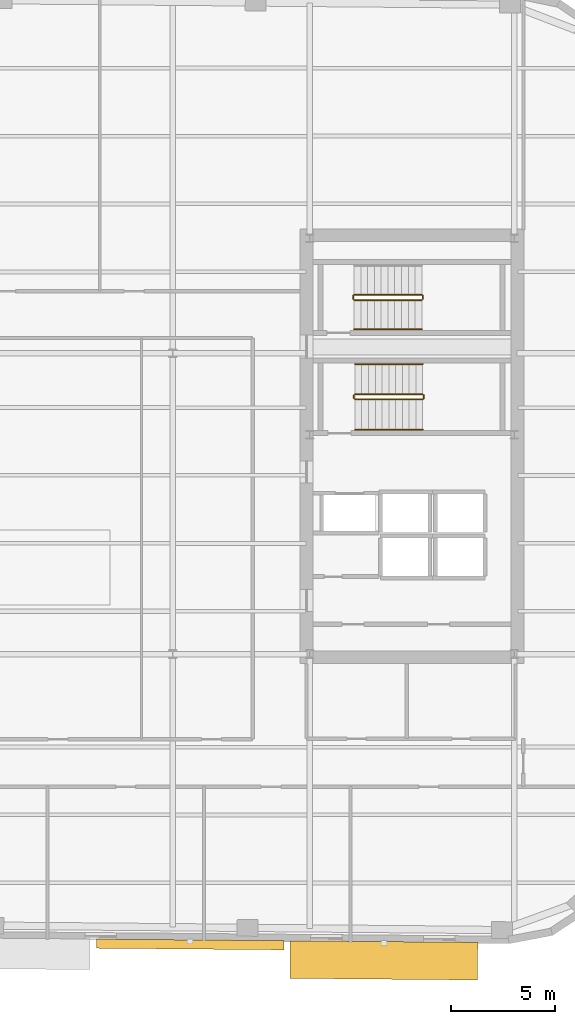
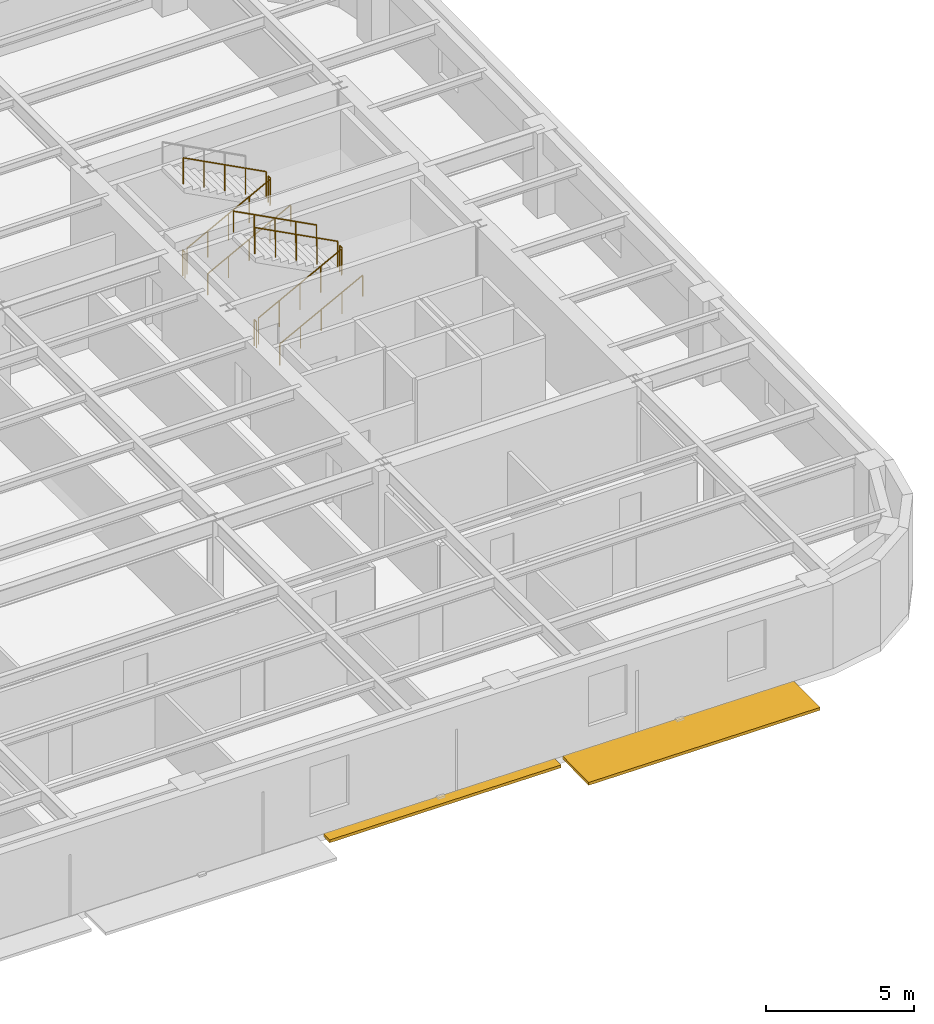
# One storey, part 10 of 11: 11 railings, 2 shading devices.
"""IFC4 building model written with IfcOpenShell, lengths in metres."""

import ifcopenshell
import ifcopenshell.guid

model = None  # the IFC model being written
_history = None  # IfcOwnerHistory: only IFC2X3 demands one
_inside = {}  # id of a spatial element -> (the spatial element, [elements in it])
_under = {}  # id of a project, library or spatial element -> (it, [spatial elements below it])
_declared = {}  # id of a project -> (the project, [libraries it declares])
_typed = {}  # id of a type object -> (the type object, [elements of that type])
_made_of = {}  # id of a material, layer set ... -> (it, [elements and type objects made of it])


def new_model(schema):
    """Start an empty IFC model of exactly this schema.

    Asked for "IFC4X3", IfcOpenShell would pick the latest addendum, in which some entities
    have other attributes; the version numbers below select the first issue.
    IFC2X3 requires an IfcOwnerHistory on every rooted entity: one is made here for all.
    """
    global model, _history
    if schema == "IFC4X3":
        model = ifcopenshell.file(schema_version=(4, 3, 0, 0))
    else:
        model = ifcopenshell.file(schema=schema)
    _inside.clear()
    _under.clear()
    _declared.clear()
    _typed.clear()
    _made_of.clear()
    _history = None
    if model.schema == "IFC2X3":
        org = make("IfcOrganization", Name="unknown")
        user = make(
            "IfcPersonAndOrganization",
            ThePerson=make("IfcPerson", FamilyName="unknown"),
            TheOrganization=org,
        )
        app = make(
            "IfcApplication",
            ApplicationDeveloper=org,
            Version="unknown",
            ApplicationFullName="unknown",
            ApplicationIdentifier="unknown",
        )
        _history = make(
            "IfcOwnerHistory",
            OwningUser=user,
            OwningApplication=app,
            ChangeAction="ADDED",
            CreationDate=0,
        )
    return model


def make(cls, **values):
    """One entity of the class cls with the attributes given. An attribute that is None is left unset."""
    return model.create_entity(
        cls, **{name: value for name, value in values.items() if value is not None}
    )


def rooted(cls, **values):
    """An entity with a GlobalId (a new one), such as an element, a storey or a relation."""
    return make(cls, GlobalId=ifcopenshell.guid.new(), OwnerHistory=_history, **values)


def si_unit(unit_type, name, prefix=None):
    """IfcSIUnit, for example si_unit("LENGTHUNIT", "METRE", prefix="MILLI")."""
    return make("IfcSIUnit", UnitType=unit_type, Prefix=prefix, Name=name)


def assignment(units):
    """IfcUnitAssignment: the units of a project."""
    return None if units is None else make("IfcUnitAssignment", Units=units)


def point(xyz):
    """IfcCartesianPoint."""
    return None if xyz is None else make("IfcCartesianPoint", Coordinates=xyz)


def direction(xyz):
    """IfcDirection."""
    return None if xyz is None else make("IfcDirection", DirectionRatios=xyz)


def frame(location, z_axis=None, x_axis=None):
    """IfcAxis2Placement3D, a coordinate frame: its origin and axes. An axis left out is left unset."""
    return make(
        "IfcAxis2Placement3D",
        Location=point(location),
        Axis=direction(z_axis),
        RefDirection=direction(x_axis),
    )


def frame_2d(location, x_axis=None):
    """IfcAxis2Placement2D, a coordinate frame in the plane: its origin and x axis."""
    return make(
        "IfcAxis2Placement2D", Location=point(location), RefDirection=direction(x_axis)
    )


def origin():
    """The frame at (0, 0, 0) with its axes left unset."""
    return frame((0.0, 0.0, 0.0))


def origin_2d():
    """The frame at (0, 0) in the plane with its x axis left unset."""
    return frame_2d((0.0, 0.0))


def place(relative_to, where):
    """IfcLocalPlacement: puts the frame where relative to a parent placement (None: the world)."""
    return make(
        "IfcLocalPlacement", PlacementRelTo=relative_to, RelativePlacement=where
    )


def context(
    kind, dimensions, precision=None, world=None, true_north=None, identifier=None
):
    """IfcGeometricRepresentationContext, for example the 3D "Model" context."""
    return make(
        "IfcGeometricRepresentationContext",
        ContextIdentifier=identifier,
        ContextType=kind,
        CoordinateSpaceDimension=dimensions,
        Precision=precision,
        WorldCoordinateSystem=world,
        TrueNorth=true_north,
    )


def subcontext(parent, identifier, kind, view, scale=None):
    """IfcGeometricRepresentationSubContext, for example "Body" below "Model"."""
    return make(
        "IfcGeometricRepresentationSubContext",
        ContextIdentifier=identifier,
        ContextType=kind,
        ParentContext=parent,
        TargetScale=scale,
        TargetView=view,
    )


def project(units=None, contexts=None):
    """IfcProject with its units and contexts."""
    return rooted(
        "IfcProject",
        Name="project",
        RepresentationContexts=contexts,
        UnitsInContext=assignment(units),
    )


def spatial(cls, under=None, at=None, **own):
    """A site, building, storey or space (cls), placed at a placement, below another one or the project."""
    s = rooted(cls, ObjectPlacement=at, **own)
    if under is not None:
        _under.setdefault(under.id(), (under, []))[1].append(s)
    return s


def profile(cls, at=None, kind="AREA", **sizes):
    """A parametric profile (cls). Its sizes go by their IFC names, for example OverallWidth=200.0."""
    return make(cls, ProfileType=kind, Position=at, **sizes)


def rectangle(**sizes):
    """IfcRectangleProfileDef."""
    return profile("IfcRectangleProfileDef", **sizes)


def circle(**sizes):
    """IfcCircleProfileDef."""
    return profile("IfcCircleProfileDef", **sizes)


def extrude(swept, where, along, depth):
    """IfcExtrudedAreaSolid: the profile swept, set in the frame where, extruded along a direction by depth."""
    return make(
        "IfcExtrudedAreaSolid",
        SweptArea=swept,
        Position=where,
        ExtrudedDirection=direction(along),
        Depth=depth,
    )


def shape(context_of_items, identifier, shape_type, items):
    """IfcShapeRepresentation: the items that make up one representation, for example the "Body"."""
    return make(
        "IfcShapeRepresentation",
        ContextOfItems=context_of_items,
        RepresentationIdentifier=identifier,
        RepresentationType=shape_type,
        Items=items,
    )


def material(Name=None, Category=None):
    """IfcMaterial."""
    return make("IfcMaterial", Name=Name, Category=Category)


def made_of(thing, what):
    """Note that an element or type object is made of a material, layer set ...; save() writes the relation."""
    if what is not None:
        _made_of.setdefault(what.id(), (what, []))[1].append(thing)
    return thing


def type_object(cls, material=None, **own):
    """A type object (cls), such as IfcWallType, which elements share."""
    return made_of(rooted(cls, **own), material)


def element(
    cls,
    number,
    at=None,
    inside=None,
    cuts=None,
    type_object=None,
    material=None,
    context=None,
    identifier="Body",
    shape_type=None,
    held_by="IfcProductDefinitionShape",
    body=None,
    shapes=None,
    **own,
):
    """One element of the class cls, such as IfcWall. Its Tag is "e" and its number.

    at: its placement. inside: the storey or other place that contains it. cuts: it is an
    opening in that element (IfcRelVoidsElement). A single representation is given by context,
    identifier, shape_type and body (its items); several are given by shapes. held_by: the class
    of the entity that holds the representations. save() writes the other relations.
    """
    e = rooted(cls, Tag="e%d" % number, ObjectPlacement=at, **own)
    if body is not None:
        shapes = [shape(context, identifier, shape_type, body)]
    if shapes is not None:
        e.Representation = make(held_by, Representations=shapes)
    if inside is not None:
        _inside.setdefault(inside.id(), (inside, []))[1].append(e)
    if cuts is not None:
        rooted(
            "IfcRelVoidsElement", RelatingBuildingElement=cuts, RelatedOpeningElement=e
        )
    if type_object is not None:
        _typed.setdefault(type_object.id(), (type_object, []))[1].append(e)
    return made_of(e, material)


def aggregate(whole, parts):
    """IfcRelAggregates: a whole, such as a stair, and the parts it consists of."""
    return rooted("IfcRelAggregates", RelatingObject=whole, RelatedObjects=parts)


def save(model, path):
    """Write the relations noted so far, then the file.

    IfcRelAggregates (storeys below a building ...), IfcRelContainedInSpatialStructure (elements
    in a storey), IfcRelDefinesByType, IfcRelAssociatesMaterial and IfcRelDeclares: one each for
    every whole, place, type object, material and project.
    """
    for whole, parts in _under.values():
        aggregate(whole, parts)
    for where, things in _inside.values():
        rooted(
            "IfcRelContainedInSpatialStructure",
            RelatedElements=things,
            RelatingStructure=where,
        )
    for kind, things in _typed.values():
        rooted("IfcRelDefinesByType", RelatedObjects=things, RelatingType=kind)
    for what, things in _made_of.values():
        rooted("IfcRelAssociatesMaterial", RelatedObjects=things, RelatingMaterial=what)
    for by, libraries in _declared.values():
        rooted("IfcRelDeclares", RelatingContext=by, RelatedDefinitions=libraries)
    model.write(path)


model = new_model("IFC4")

# Units and contexts
model_context = context("Model", 3, precision=1e-05, world=origin(), true_north=direction((0.0, 1.0)))
body_context = subcontext(model_context, "Body", "Model", "MODEL_VIEW")
ifc_project = project(units=[si_unit("LENGTHUNIT", "METRE"), si_unit("AREAUNIT", "SQUARE_METRE"), si_unit("VOLUMEUNIT", "CUBIC_METRE"), si_unit("PLANEANGLEUNIT", "RADIAN"), si_unit("MASSUNIT", "GRAM", prefix="KILO")], contexts=[model_context])

# Site, building, storey
site_placement = place(None, origin())
site = spatial("IfcSite", under=ifc_project, at=site_placement, CompositionType="ELEMENT")
building_placement = place(site_placement, origin())
building = spatial("IfcBuilding", under=site, at=building_placement, Name="Kolvaren Arena Tower", CompositionType="ELEMENT")
storey_placement = place(building_placement, frame((0.0, 0.0, 195.949951171875)))
storey = spatial("IfcBuildingStorey", under=building, at=storey_placement, Name="L47", CompositionType="ELEMENT", Elevation=195.949951171875)

# Railings
ifc_material_1 = material(Name="Painted galvanized steel", Category="steel")
railing_type_1 = type_object("IfcRailingType", Name="GUARD-ST-110", PredefinedType="GUARDRAIL", material=ifc_material_1)
railing_1_placement = place(storey_placement, frame((52.719970703125, 31.639892578125, 0.17041015625)))
element("IfcRailing", 1, at=railing_1_placement, inside=storey, type_object=railing_type_1, Name="L47 ST-E1 stair guard 1", PredefinedType="GUARDRAIL", context=body_context, shape_type="SweptSolid", body=[
    extrude(circle(Radius=0.02392578125, at=origin_2d()), frame((0.0, 0.0, 1.076171875), z_axis=(0.884993431791, 0.0, 0.465603506952), x_axis=(0.0, 1.0, 0.0)), (0.0, 0.0, 1.0), 3.6611328125),
    extrude(circle(Radius=0.02099609375, at=origin_2d()), origin(), (0.0, 0.0, 1.0), 1.052001953125),
    extrude(circle(Radius=0.02099609375, at=origin_2d()), frame((0.81005859375, 0.0, 0.42626953125)), (0.0, 0.0, 1.0), 1.052001953125),
    extrude(circle(Radius=0.02099609375, at=origin_2d()), frame((1.6201171875, 0.0, 0.852294921875)), (0.0, 0.0, 1.0), 1.052001953125),
    extrude(circle(Radius=0.02099609375, at=origin_2d()), frame((2.429931640625, 0.0, 1.2783203125)), (0.0, 0.0, 1.0), 1.052001953125),
    extrude(circle(Radius=0.02099609375, at=origin_2d()), frame((3.239990234375, 0.0, 1.70458984375)), (0.0, 0.0, 1.0), 1.052001953125),
])
railing_2_placement = place(storey_placement, frame((56.010009765625, 31.68994140625, 1.875)))
element("IfcRailing", 2, at=railing_2_placement, inside=storey, type_object=railing_type_1, Name="L47 ST-E1 stair guard 2", PredefinedType="GUARDRAIL", context=body_context, shape_type="SweptSolid", body=[
    extrude(circle(Radius=0.02392578125, at=origin_2d()), frame((0.0, 0.0, 1.076171875), z_axis=(0.0, 1.0, 0.0), x_axis=(-1.0, 0.0, 0.0)), (0.0, 0.0, 1.0), 0.150146484375),
    extrude(circle(Radius=0.02099609375, at=origin_2d()), origin(), (0.0, 0.0, 1.0), 1.052001953125),
    extrude(circle(Radius=0.02099609375, at=origin_2d()), frame((0.0, 0.150146484375, 0.0)), (0.0, 0.0, 1.0), 1.052001953125),
])
railing_3_placement = place(storey_placement, frame((55.9599609375, 31.889892578125, 2.04541015625)))
element("IfcRailing", 3, at=railing_3_placement, inside=storey, type_object=railing_type_1, Name="L47 ST-E1 stair guard 3", PredefinedType="GUARDRAIL", context=body_context, shape_type="SweptSolid", body=[
    extrude(circle(Radius=0.02392578125, at=origin_2d()), frame((0.0, 0.0, 1.076171875), z_axis=(-0.884993431791, 0.0, 0.465603506952), x_axis=(0.0, -1.0, 0.0)), (0.0, 0.0, 1.0), 3.6611328125),
    extrude(circle(Radius=0.02099609375, at=origin_2d()), origin(), (0.0, 0.0, 1.0), 1.052001953125),
    extrude(circle(Radius=0.02099609375, at=origin_2d()), frame((-0.81005859375, 0.0, 0.42626953125)), (0.0, 0.0, 1.0), 1.052001953125),
    extrude(circle(Radius=0.02099609375, at=origin_2d()), frame((-1.6201171875, 0.0, 0.852294921875)), (0.0, 0.0, 1.0), 1.052001953125),
    extrude(circle(Radius=0.02099609375, at=origin_2d()), frame((-2.429931640625, 0.0, 1.2783203125)), (0.0, 0.0, 1.0), 1.052001953125),
    extrude(circle(Radius=0.02099609375, at=origin_2d()), frame((-3.239990234375, 0.0, 1.70458984375)), (0.0, 0.0, 1.0), 1.052001953125),
])
railing_4_placement = place(storey_placement, frame((52.669921875, 31.68994140625, 0.0)))
element("IfcRailing", 4, at=railing_4_placement, inside=storey, type_object=railing_type_1, Name="L47 ST-E1 stair guard 4", PredefinedType="GUARDRAIL", context=body_context, shape_type="SweptSolid", body=[
    extrude(circle(Radius=0.02392578125, at=origin_2d()), frame((0.0, 0.0, 1.076171875), z_axis=(0.0, 1.0, 0.0), x_axis=(-1.0, 0.0, 0.0)), (0.0, 0.0, 1.0), 0.150146484375),
    extrude(circle(Radius=0.02099609375, at=origin_2d()), origin(), (0.0, 0.0, 1.0), 1.052001953125),
    extrude(circle(Radius=0.02099609375, at=origin_2d()), frame((0.0, 0.150146484375, 0.0)), (0.0, 0.0, 1.0), 1.052001953125),
])
railing_5_placement = place(storey_placement, frame((52.679931640625, 36.39990234375, 0.17041015625)))
element("IfcRailing", 5, at=railing_5_placement, inside=storey, type_object=railing_type_1, Name="L47 ST-E2 stair guard 1", PredefinedType="GUARDRAIL", context=body_context, shape_type="SweptSolid", body=[
    extrude(circle(Radius=0.02392578125, at=origin_2d()), frame((0.0, 0.0, 1.076171875), z_axis=(0.884993431791, 0.0, 0.465603506952), x_axis=(0.0, 1.0, 0.0)), (0.0, 0.0, 1.0), 3.6611328125),
    extrude(circle(Radius=0.02099609375, at=origin_2d()), origin(), (0.0, 0.0, 1.0), 1.052001953125),
    extrude(circle(Radius=0.02099609375, at=origin_2d()), frame((0.81005859375, 0.0, 0.42626953125)), (0.0, 0.0, 1.0), 1.052001953125),
    extrude(circle(Radius=0.02099609375, at=origin_2d()), frame((1.6201171875, 0.0, 0.852294921875)), (0.0, 0.0, 1.0), 1.052001953125),
    extrude(circle(Radius=0.02099609375, at=origin_2d()), frame((2.429931640625, 0.0, 1.2783203125)), (0.0, 0.0, 1.0), 1.052001953125),
    extrude(circle(Radius=0.02099609375, at=origin_2d()), frame((3.239990234375, 0.0, 1.70458984375)), (0.0, 0.0, 1.0), 1.052001953125),
])
railing_6_placement = place(storey_placement, frame((55.969970703125, 36.449951171875, 1.875)))
element("IfcRailing", 6, at=railing_6_placement, inside=storey, type_object=railing_type_1, Name="L47 ST-E2 stair guard 2", PredefinedType="GUARDRAIL", context=body_context, shape_type="SweptSolid", body=[
    extrude(circle(Radius=0.02392578125, at=origin_2d()), frame((0.0, 0.0, 1.076171875), z_axis=(0.0, 1.0, 0.0), x_axis=(-1.0, 0.0, 0.0)), (0.0, 0.0, 1.0), 0.150146484375),
    extrude(circle(Radius=0.02099609375, at=origin_2d()), origin(), (0.0, 0.0, 1.0), 1.052001953125),
    extrude(circle(Radius=0.02099609375, at=origin_2d()), frame((0.0, 0.150146484375, 0.0)), (0.0, 0.0, 1.0), 1.052001953125),
])
railing_7_placement = place(storey_placement, frame((55.919921875, 36.64990234375, 2.04541015625)))
element("IfcRailing", 7, at=railing_7_placement, inside=storey, type_object=railing_type_1, Name="L47 ST-E2 stair guard 3", PredefinedType="GUARDRAIL", context=body_context, shape_type="SweptSolid", body=[
    extrude(circle(Radius=0.02392578125, at=origin_2d()), frame((0.0, 0.0, 1.076171875), z_axis=(-0.884993431791, 0.0, 0.465603506952), x_axis=(0.0, -1.0, 0.0)), (0.0, 0.0, 1.0), 3.6611328125),
    extrude(circle(Radius=0.02099609375, at=origin_2d()), origin(), (0.0, 0.0, 1.0), 1.052001953125),
    extrude(circle(Radius=0.02099609375, at=origin_2d()), frame((-0.81005859375, 0.0, 0.42626953125)), (0.0, 0.0, 1.0), 1.052001953125),
    extrude(circle(Radius=0.02099609375, at=origin_2d()), frame((-1.6201171875, 0.0, 0.852294921875)), (0.0, 0.0, 1.0), 1.052001953125),
    extrude(circle(Radius=0.02099609375, at=origin_2d()), frame((-2.429931640625, 0.0, 1.2783203125)), (0.0, 0.0, 1.0), 1.052001953125),
    extrude(circle(Radius=0.02099609375, at=origin_2d()), frame((-3.239990234375, 0.0, 1.70458984375)), (0.0, 0.0, 1.0), 1.052001953125),
])
railing_8_placement = place(storey_placement, frame((52.6298828125, 36.449951171875, 0.0)))
element("IfcRailing", 8, at=railing_8_placement, inside=storey, type_object=railing_type_1, Name="L47 ST-E2 stair guard 4", PredefinedType="GUARDRAIL", context=body_context, shape_type="SweptSolid", body=[
    extrude(circle(Radius=0.02392578125, at=origin_2d()), frame((0.0, 0.0, 1.076171875), z_axis=(0.0, 1.0, 0.0), x_axis=(-1.0, 0.0, 0.0)), (0.0, 0.0, 1.0), 0.150146484375),
    extrude(circle(Radius=0.02099609375, at=origin_2d()), origin(), (0.0, 0.0, 1.0), 1.052001953125),
    extrude(circle(Radius=0.02099609375, at=origin_2d()), frame((0.0, 0.150146484375, 0.0)), (0.0, 0.0, 1.0), 1.052001953125),
])
ifc_material_2 = material(Name="Brushed stainless steel handrail", Category="steel")
railing_type_2 = type_object("IfcRailingType", Name="HRAIL-900", PredefinedType="HANDRAIL", material=ifc_material_2)
railing_9_placement = place(storey_placement, frame((52.719970703125, 30.199951171875, 0.17041015625)))
element("IfcRailing", 9, at=railing_9_placement, inside=storey, type_object=railing_type_2, Name="L47 ST-E1 stair handrail 1", PredefinedType="HANDRAIL", context=body_context, shape_type="SweptSolid", body=[
    extrude(circle(Radius=0.02392578125, at=origin_2d()), frame((0.0, 0.0, 0.8759765625), z_axis=(0.884993431791, 0.0, 0.465603506952), x_axis=(0.0, 1.0, 0.0)), (0.0, 0.0, 1.0), 3.6611328125),
    extrude(circle(Radius=0.02099609375, at=origin_2d()), origin(), (0.0, 0.0, 1.0), 0.851806640625),
    extrude(circle(Radius=0.02099609375, at=origin_2d()), frame((0.81005859375, 0.0, 0.42626953125)), (0.0, 0.0, 1.0), 0.851806640625),
    extrude(circle(Radius=0.02099609375, at=origin_2d()), frame((1.6201171875, 0.0, 0.852294921875)), (0.0, 0.0, 1.0), 0.851806640625),
    extrude(circle(Radius=0.02099609375, at=origin_2d()), frame((2.429931640625, 0.0, 1.2783203125)), (0.0, 0.0, 1.0), 0.851806640625),
    extrude(circle(Radius=0.02099609375, at=origin_2d()), frame((3.239990234375, 0.0, 1.70458984375)), (0.0, 0.0, 1.0), 0.851806640625),
])
railing_10_placement = place(storey_placement, frame((55.9599609375, 33.330078125, 2.04541015625)))
element("IfcRailing", 10, at=railing_10_placement, inside=storey, type_object=railing_type_2, Name="L47 ST-E1 stair handrail 2", PredefinedType="HANDRAIL", context=body_context, shape_type="SweptSolid", body=[
    extrude(circle(Radius=0.02392578125, at=origin_2d()), frame((0.0, 0.0, 0.8759765625), z_axis=(-0.884993431791, 0.0, 0.465603506952), x_axis=(0.0, -1.0, 0.0)), (0.0, 0.0, 1.0), 3.6611328125),
    extrude(circle(Radius=0.02099609375, at=origin_2d()), origin(), (0.0, 0.0, 1.0), 0.851806640625),
    extrude(circle(Radius=0.02099609375, at=origin_2d()), frame((-0.81005859375, 0.0, 0.42626953125)), (0.0, 0.0, 1.0), 0.851806640625),
    extrude(circle(Radius=0.02099609375, at=origin_2d()), frame((-1.6201171875, 0.0, 0.852294921875)), (0.0, 0.0, 1.0), 0.851806640625),
    extrude(circle(Radius=0.02099609375, at=origin_2d()), frame((-2.429931640625, 0.0, 1.2783203125)), (0.0, 0.0, 1.0), 0.851806640625),
    extrude(circle(Radius=0.02099609375, at=origin_2d()), frame((-3.239990234375, 0.0, 1.70458984375)), (0.0, 0.0, 1.0), 0.851806640625),
])
railing_11_placement = place(storey_placement, frame((52.679931640625, 35.0, 0.17041015625)))
element("IfcRailing", 11, at=railing_11_placement, inside=storey, type_object=railing_type_2, Name="L47 ST-E2 stair handrail 1", PredefinedType="HANDRAIL", context=body_context, shape_type="SweptSolid", body=[
    extrude(circle(Radius=0.02392578125, at=origin_2d()), frame((0.0, 0.0, 0.8759765625), z_axis=(0.884993431791, 0.0, 0.465603506952), x_axis=(0.0, 1.0, 0.0)), (0.0, 0.0, 1.0), 3.6611328125),
    extrude(circle(Radius=0.02099609375, at=origin_2d()), origin(), (0.0, 0.0, 1.0), 0.851806640625),
    extrude(circle(Radius=0.02099609375, at=origin_2d()), frame((0.81005859375, 0.0, 0.42626953125)), (0.0, 0.0, 1.0), 0.851806640625),
    extrude(circle(Radius=0.02099609375, at=origin_2d()), frame((1.6201171875, 0.0, 0.852294921875)), (0.0, 0.0, 1.0), 0.851806640625),
    extrude(circle(Radius=0.02099609375, at=origin_2d()), frame((2.429931640625, 0.0, 1.2783203125)), (0.0, 0.0, 1.0), 0.851806640625),
    extrude(circle(Radius=0.02099609375, at=origin_2d()), frame((3.239990234375, 0.0, 1.70458984375)), (0.0, 0.0, 1.0), 0.851806640625),
])

# Shading devices
ifc_material_3 = material(Name="Architectural precast GFRC and anodised aluminium sunshade", Category="concrete")
shading_device_type_1 = type_object("IfcShadingDeviceType", Name="SHAD-SINE-A", PredefinedType="USERDEFINED", material=ifc_material_3)
shading_device_1_placement = place(storey_placement, frame((44.8291015625, 5.54931640625, -0.139892578125), z_axis=(0.0, 0.0, 1.0), x_axis=(-0.999961923064, 0.008726535498, 0.0)))
element("IfcShadingDevice", 12, at=shading_device_1_placement, inside=storey, type_object=shading_device_type_1, Name="Sinusoidal Slab-Edge Sunshade Louvre (L47)", ObjectType="LOUVRE", PredefinedType="USERDEFINED", context=body_context, shape_type="SweptSolid", body=[
    extrude(rectangle(XDim=8.97998046875, YDim=0.438232421875, at=origin_2d()), origin(), (0.0, 0.0, 1.0), 0.1201171875),
])
shading_device_type_2 = type_object("IfcShadingDeviceType", Name="SHAD-SINE-B", PredefinedType="JALOUSIE", material=ifc_material_3)
shading_device_2_placement = place(storey_placement, frame((54.102783203125, 4.78759765625, -0.139892578125), z_axis=(0.0, 0.0, 1.0), x_axis=(-0.999961923064, 0.008726535498, 0.0)))
element("IfcShadingDevice", 13, at=shading_device_2_placement, inside=storey, type_object=shading_device_type_2, Name="Sinusoidal Slab-Edge Sunshade Louvre (L47)", PredefinedType="JALOUSIE", context=body_context, shape_type="SweptSolid", body=[
    extrude(rectangle(XDim=8.97998046875, YDim=1.800048828125, at=origin_2d()), origin(), (0.0, 0.0, 1.0), 0.1201171875),
])

save(model, "model.ifc")
